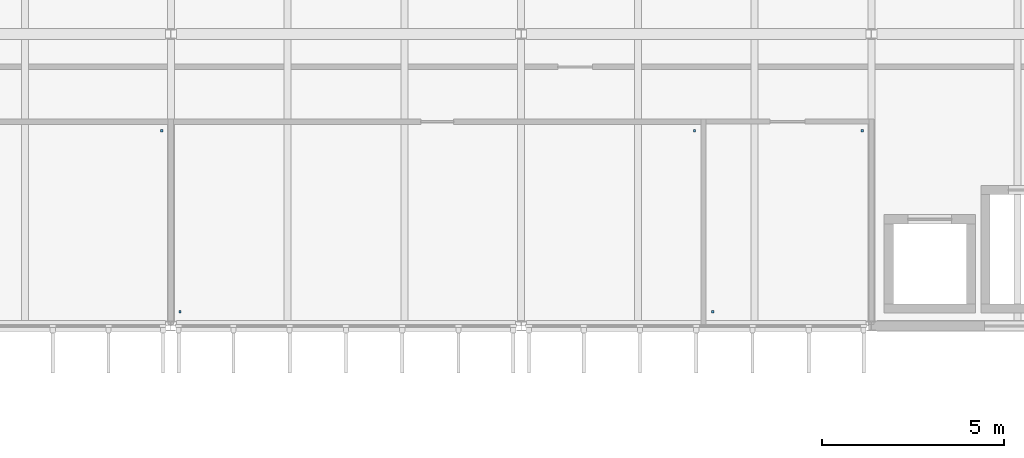
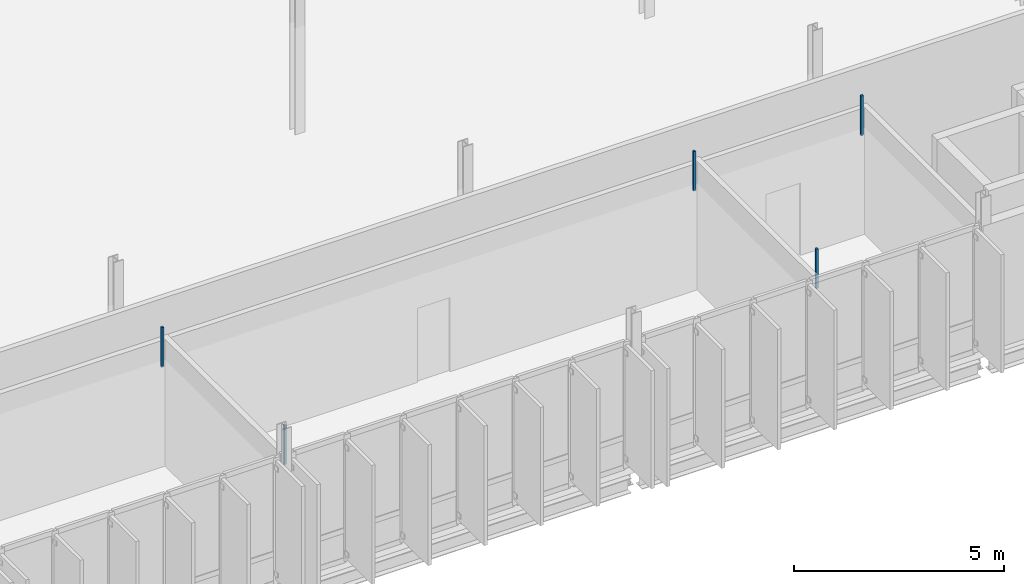
# One storey, part 73 of 93: 5 discrete accessories.
"""IFC4 building model written with IfcOpenShell, lengths in metres."""

from ifc_helpers import new_model, si_unit, direction, frame, origin, place, context, subcontext, project, spatial, polyline, outline, extrude, material, type_object, element, save


model = new_model("IFC4")

# Units and contexts
model_context = context("Model", 3, precision=1e-05, world=origin(), true_north=direction((0.0, 1.0)))
body_context = subcontext(model_context, "Body", "Model", "MODEL_VIEW")
ifc_project = project(units=[si_unit("LENGTHUNIT", "METRE"), si_unit("AREAUNIT", "SQUARE_METRE"), si_unit("VOLUMEUNIT", "CUBIC_METRE"), si_unit("PLANEANGLEUNIT", "RADIAN"), si_unit("MASSUNIT", "GRAM", prefix="KILO")], contexts=[model_context])

# Site, building, storey
site_placement = place(None, origin())
site = spatial("IfcSite", under=ifc_project, at=site_placement, CompositionType="ELEMENT")
building_placement = place(site_placement, origin())
building = spatial("IfcBuilding", under=site, at=building_placement, Name="Dunescarp Central Library", CompositionType="ELEMENT")
storey_placement = place(building_placement, frame((0.0, 0.0, 14.10009765625)))
storey = spatial("IfcBuildingStorey", under=building, at=storey_placement, Name="L03", CompositionType="ELEMENT", Elevation=14.10009765625)

# Discrete accessories
ifc_material = material(Name="Stainless steel Grade 316L", Category="steel")
discrete_accessory_type = type_object("IfcDiscreteAccessoryType", Name="ARC-ACC-BRK", PredefinedType="BRACKET", material=ifc_material)
discrete_accessory_1_placement = place(storey_placement, frame((0.0, 0.0, 3.059814453125)))
element("IfcDiscreteAccessory", 1, at=discrete_accessory_1_placement, inside=storey, type_object=discrete_accessory_type, Name="L03 ceiling hanger CLG-L03-104-H1", PredefinedType="BRACKET", context=body_context, shape_type="SweptSolid", body=[
    extrude(outline(polyline([(112.419921875, 5.159912109375), (112.47998046875, 5.159912109375), (112.47998046875, 5.219970703125), (112.419921875, 5.219970703125), (112.419921875, 5.159912109375)])), origin(), (0.0, 0.0, 1.0), 1.150146484375),
])
discrete_accessory_2_placement = place(storey_placement, frame((0.0, 0.0, 3.059814453125)))
element("IfcDiscreteAccessory", 2, at=discrete_accessory_2_placement, inside=storey, type_object=discrete_accessory_type, Name="L03 ceiling hanger CLG-L03-104-H2", PredefinedType="BRACKET", context=body_context, shape_type="SweptSolid", body=[
    extrude(outline(polyline([(116.52001953125, 10.1201171875), (116.580078125, 10.1201171875), (116.580078125, 10.179931640625), (116.52001953125, 10.179931640625), (116.52001953125, 10.1201171875)])), origin(), (0.0, 0.0, 1.0), 1.150146484375),
])
discrete_accessory_3_placement = place(storey_placement, frame((0.0, 0.0, 3.059814453125)))
element("IfcDiscreteAccessory", 3, at=discrete_accessory_3_placement, inside=storey, type_object=discrete_accessory_type, Name="L03 ceiling hanger CLG-L03-105-H2", PredefinedType="BRACKET", context=body_context, shape_type="SweptSolid", body=[
    extrude(outline(polyline([(97.320068359375, 10.1201171875), (97.3798828125, 10.1201171875), (97.3798828125, 10.179931640625), (97.320068359375, 10.179931640625), (97.320068359375, 10.1201171875)])), origin(), (0.0, 0.0, 1.0), 1.150146484375),
])
discrete_accessory_4_placement = place(storey_placement, frame((0.0, 0.0, 3.059814453125)))
element("IfcDiscreteAccessory", 4, at=discrete_accessory_4_placement, inside=storey, type_object=discrete_accessory_type, Name="L03 ceiling hanger CLG-L03-106-H1", PredefinedType="BRACKET", context=body_context, shape_type="SweptSolid", body=[
    extrude(outline(polyline([(97.820068359375, 5.159912109375), (97.8798828125, 5.159912109375), (97.8798828125, 5.219970703125), (97.820068359375, 5.219970703125), (97.820068359375, 5.159912109375)])), origin(), (0.0, 0.0, 1.0), 1.150146484375),
])
discrete_accessory_5_placement = place(storey_placement, frame((0.0, 0.0, 3.059814453125)))
element("IfcDiscreteAccessory", 5, at=discrete_accessory_5_placement, inside=storey, type_object=discrete_accessory_type, Name="L03 ceiling hanger CLG-L03-106-H2", PredefinedType="BRACKET", context=body_context, shape_type="SweptSolid", body=[
    extrude(outline(polyline([(111.919921875, 10.1201171875), (111.97998046875, 10.1201171875), (111.97998046875, 10.179931640625), (111.919921875, 10.179931640625), (111.919921875, 10.1201171875)])), origin(), (0.0, 0.0, 1.0), 1.150146484375),
])

save(model, "model.ifc")
